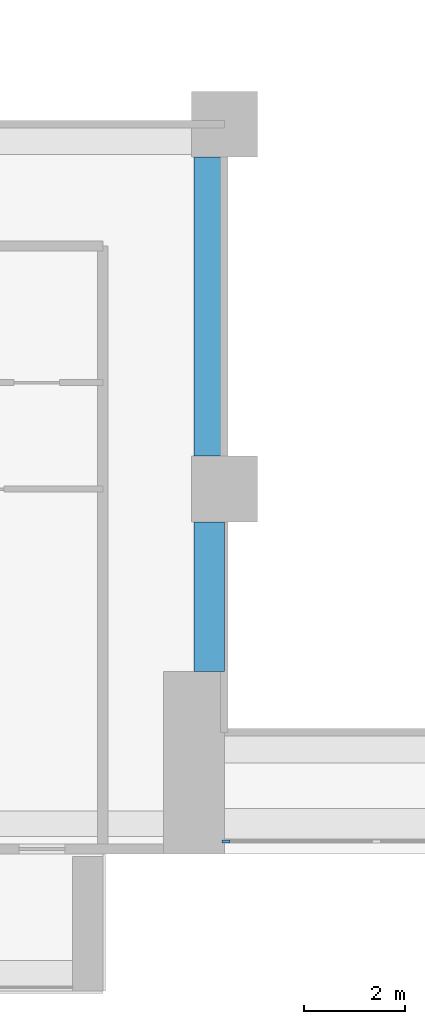
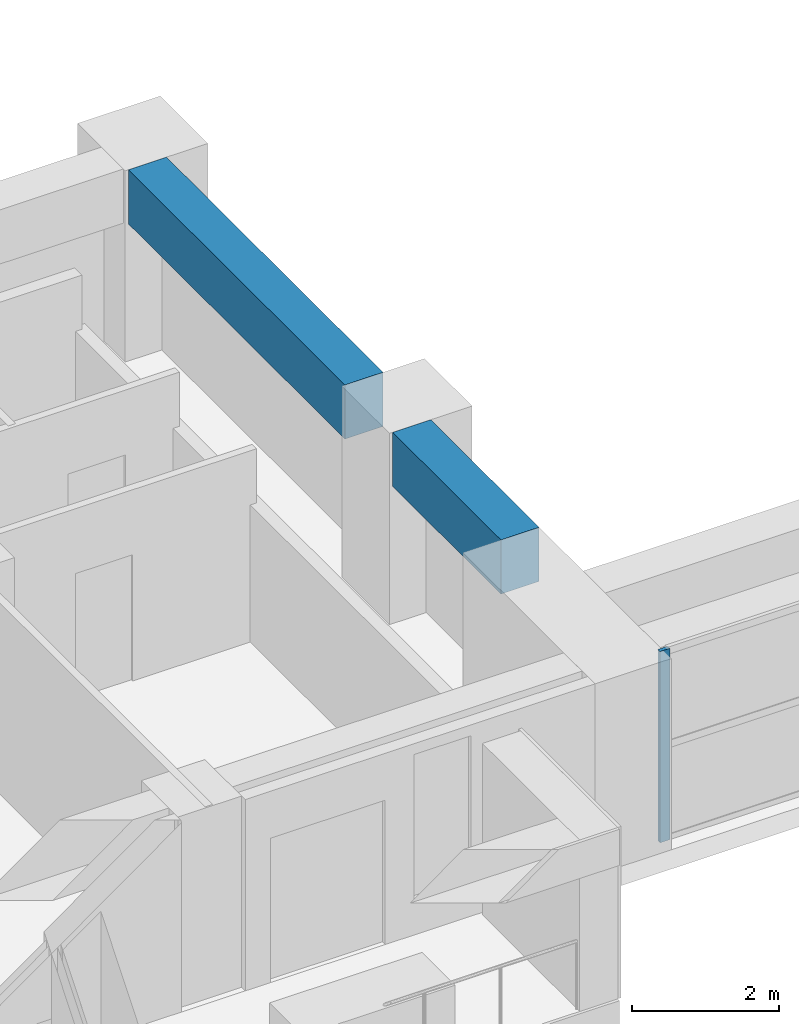
# One storey, part 2 of 17: 2 beams, 1 member, 1 element without a shape of its own.
"""IFC4 building model written with IfcOpenShell, lengths in metres."""

from ifc_helpers import new_model, si_unit, direction, frame, origin, origin_2d, place, context, subcontext, project, spatial, rectangle, extrude, source, transform, mapped, material, layer, layer_set, material_profile, profile_set, type_object, element, aggregate, save


model = new_model("IFC4")

# Units and contexts
model_context = context("Model", 3, precision=1e-05, world=origin(), true_north=direction((0.0, 1.0)))
body_context = subcontext(model_context, "Body", "Model", "MODEL_VIEW")
ifc_project = project(units=[si_unit("LENGTHUNIT", "METRE"), si_unit("AREAUNIT", "SQUARE_METRE"), si_unit("VOLUMEUNIT", "CUBIC_METRE"), si_unit("PLANEANGLEUNIT", "RADIAN"), si_unit("MASSUNIT", "GRAM", prefix="KILO")], contexts=[model_context])

# Site, building, storey
site_placement = place(None, origin())
site = spatial("IfcSite", under=ifc_project, at=site_placement, CompositionType="ELEMENT")
building_placement = place(site_placement, origin())
building = spatial("IfcBuilding", under=site, at=building_placement, Name="Saffron Iwan Residences", CompositionType="ELEMENT")
storey_placement = place(building_placement, frame((0.0, 0.0, 76.0)))
storey = spatial("IfcBuildingStorey", under=building, at=storey_placement, Name="L19", CompositionType="ELEMENT", Elevation=76.0)

# Beams
ifc_material_1 = material(Name="Concrete C60/75", Category="concrete")
ifc_material_profile_1 = material_profile(ifc_material_1, rectangle(XDim=0.60009765625, YDim=0.89990234375, at=origin_2d()), Name="RC 600x900")
ifc_profile_set_1 = profile_set([ifc_material_profile_1], Name="Concrete C60/75")
beam_type = type_object("IfcBeamType", Name="BEAM RC 600x900 C60/75 TOP 3180", PredefinedType="BEAM", material=ifc_profile_set_1)
shared_shape_1 = source(origin(), body_context, "Body", "SweptSolid", [
    extrude(rectangle(XDim=0.60009765625, YDim=0.89990234375, at=origin_2d()), origin(), (0.0, 0.0, 1.0), 2.949951171875),
])
beam_1_placement = place(storey_placement, frame((42.89990234375, 37.199951171875, 2.72998046875), z_axis=(0.0, 1.0, 0.0), x_axis=(-1.0, 0.0, 0.0)))
element("IfcBeam", 1, at=beam_1_placement, inside=storey, type_object=beam_type, Name="Atrium edge beam", PredefinedType="BEAM", context=body_context, shape_type="MappedRepresentation", body=[
    mapped(shared_shape_1, transform((0.0, 0.0, 0.0))),
])
shared_shape_2 = source(origin(), body_context, "Body", "SweptSolid", [
    extrude(rectangle(XDim=0.60009765625, YDim=0.89990234375, at=origin_2d()), origin(), (0.0, 0.0, 1.0), 5.900146484375),
])
beam_2_placement = place(storey_placement, frame((42.89990234375, 41.449951171875, 2.72998046875), z_axis=(0.0, 1.0, 0.0), x_axis=(-1.0, 0.0, 0.0)))
element("IfcBeam", 2, at=beam_2_placement, inside=storey, type_object=beam_type, Name="Atrium edge beam", PredefinedType="BEAM", context=body_context, shape_type="MappedRepresentation", body=[
    mapped(shared_shape_2, transform((0.0, 0.0, 0.0))),
])

# Curtain wall, member
ifc_material_2 = material(Name="Clear glass, laminated double glazed", Category="glass")
ifc_layer = layer(ifc_material_2, 0.199951171875)
ifc_layer_set = layer_set([ifc_layer], Name="Clear glass, laminated double glazed")
curtain_wall_type = type_object("IfcCurtainWallType", Name="CW-B IWAN PORTAL", PredefinedType="NOTDEFINED", material=ifc_layer_set)
curtain_wall_placement = place(storey_placement, origin())
curtain_wall = element("IfcCurtainWall", 3, at=curtain_wall_placement, inside=storey, type_object=curtain_wall_type, Name="Iwan portal glazing L19.1", PredefinedType="NOTDEFINED")
ifc_material_3 = material(Name="Aluminium 6063-T6", Category="aluminium")
ifc_material_profile_2 = material_profile(ifc_material_3, rectangle(XDim=0.06005859375, YDim=0.159912109375, at=origin_2d()), Name="CW-B MULLION 60 x 160")
ifc_profile_set_2 = profile_set([ifc_material_profile_2], Name="Aluminium 6063-T6")
member_type = type_object("IfcMemberType", Name="CW-B MULLION 60 x 160", PredefinedType="MULLION", material=ifc_profile_set_2)
shared_shape_3 = source(origin(), body_context, "Body", "SweptSolid", [
    extrude(rectangle(XDim=0.06005859375, YDim=0.159912109375, at=origin_2d()), origin(), (0.0, 0.0, 1.0), 3.179931640625),
])
member_placement = place(storey_placement, frame((43.22998046875, 33.85009765625, 0.0), z_axis=(0.0, 0.0, 1.0), x_axis=(0.0, 1.0, 0.0)))
member = element("IfcMember", 4, at=member_placement, type_object=member_type, Name="CW-B mullion 1", PredefinedType="MULLION", context=body_context, shape_type="MappedRepresentation", body=[
    mapped(shared_shape_3, transform((0.0, 0.0, 0.0))),
])
aggregate(curtain_wall, [member])

save(model, "model.ifc")
